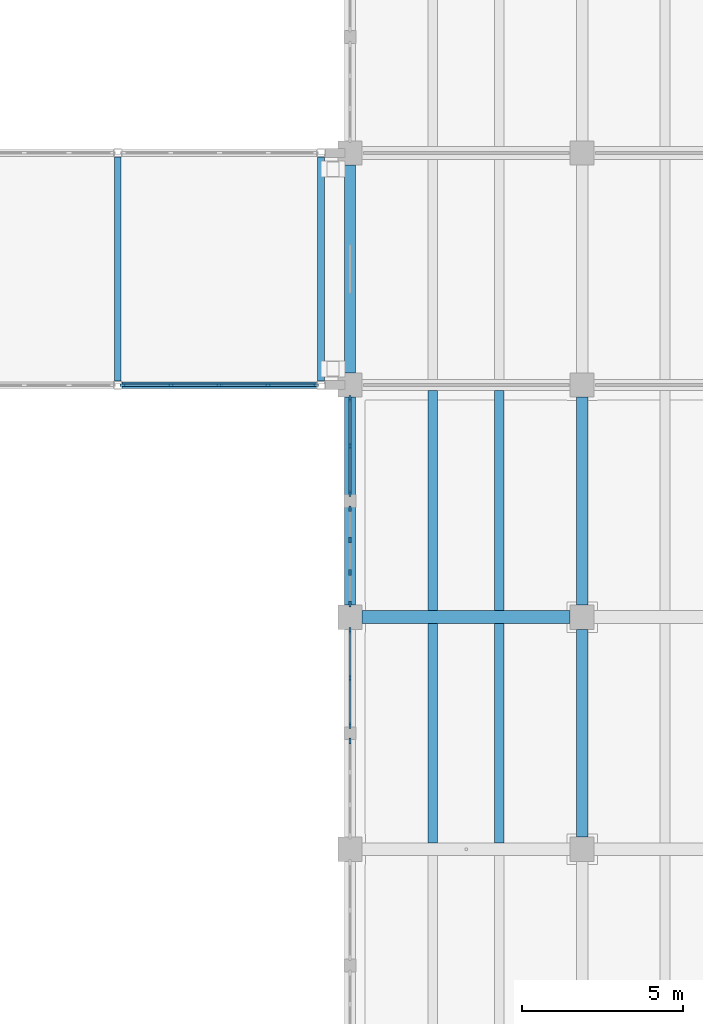
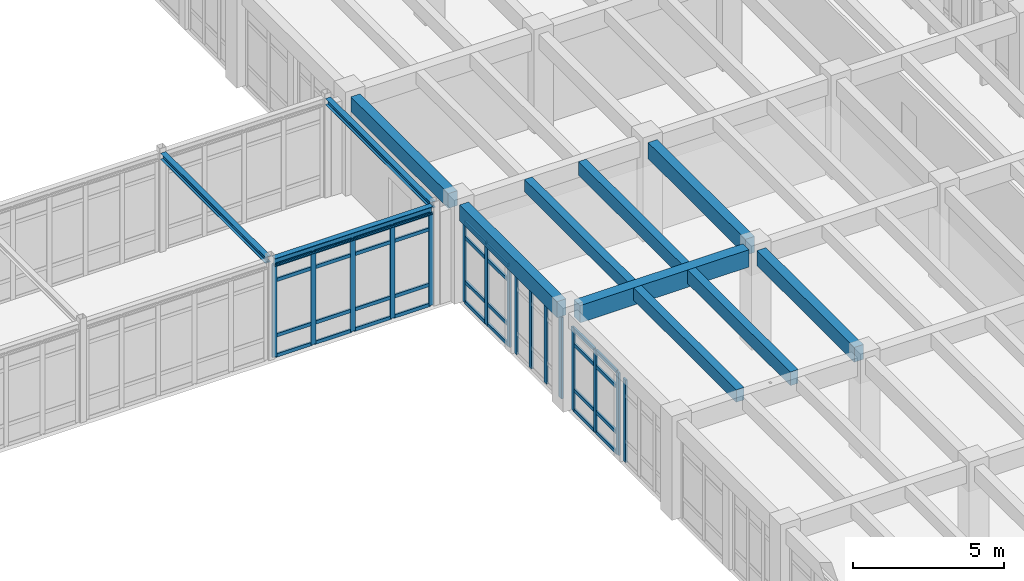
# One storey, part 59 of 136: 48 members, 12 beams, 5 elements without a shape of their own.
"""IFC4 building model written with IfcOpenShell, lengths in metres."""

import ifcopenshell
import ifcopenshell.guid

model = None  # the IFC model being written
_history = None  # IfcOwnerHistory: only IFC2X3 demands one
_inside = {}  # id of a spatial element -> (the spatial element, [elements in it])
_under = {}  # id of a project, library or spatial element -> (it, [spatial elements below it])
_declared = {}  # id of a project -> (the project, [libraries it declares])
_typed = {}  # id of a type object -> (the type object, [elements of that type])
_made_of = {}  # id of a material, layer set ... -> (it, [elements and type objects made of it])


def new_model(schema):
    """Start an empty IFC model of exactly this schema.

    Asked for "IFC4X3", IfcOpenShell would pick the latest addendum, in which some entities
    have other attributes; the version numbers below select the first issue.
    IFC2X3 requires an IfcOwnerHistory on every rooted entity: one is made here for all.
    """
    global model, _history
    if schema == "IFC4X3":
        model = ifcopenshell.file(schema_version=(4, 3, 0, 0))
    else:
        model = ifcopenshell.file(schema=schema)
    _inside.clear()
    _under.clear()
    _declared.clear()
    _typed.clear()
    _made_of.clear()
    _history = None
    if model.schema == "IFC2X3":
        org = make("IfcOrganization", Name="unknown")
        user = make(
            "IfcPersonAndOrganization",
            ThePerson=make("IfcPerson", FamilyName="unknown"),
            TheOrganization=org,
        )
        app = make(
            "IfcApplication",
            ApplicationDeveloper=org,
            Version="unknown",
            ApplicationFullName="unknown",
            ApplicationIdentifier="unknown",
        )
        _history = make(
            "IfcOwnerHistory",
            OwningUser=user,
            OwningApplication=app,
            ChangeAction="ADDED",
            CreationDate=0,
        )
    return model


def make(cls, **values):
    """One entity of the class cls with the attributes given. An attribute that is None is left unset."""
    return model.create_entity(
        cls, **{name: value for name, value in values.items() if value is not None}
    )


def rooted(cls, **values):
    """An entity with a GlobalId (a new one), such as an element, a storey or a relation."""
    return make(cls, GlobalId=ifcopenshell.guid.new(), OwnerHistory=_history, **values)


def si_unit(unit_type, name, prefix=None):
    """IfcSIUnit, for example si_unit("LENGTHUNIT", "METRE", prefix="MILLI")."""
    return make("IfcSIUnit", UnitType=unit_type, Prefix=prefix, Name=name)


def assignment(units):
    """IfcUnitAssignment: the units of a project."""
    return None if units is None else make("IfcUnitAssignment", Units=units)


def point(xyz):
    """IfcCartesianPoint."""
    return None if xyz is None else make("IfcCartesianPoint", Coordinates=xyz)


def direction(xyz):
    """IfcDirection."""
    return None if xyz is None else make("IfcDirection", DirectionRatios=xyz)


def frame(location, z_axis=None, x_axis=None):
    """IfcAxis2Placement3D, a coordinate frame: its origin and axes. An axis left out is left unset."""
    return make(
        "IfcAxis2Placement3D",
        Location=point(location),
        Axis=direction(z_axis),
        RefDirection=direction(x_axis),
    )


def frame_2d(location, x_axis=None):
    """IfcAxis2Placement2D, a coordinate frame in the plane: its origin and x axis."""
    return make(
        "IfcAxis2Placement2D", Location=point(location), RefDirection=direction(x_axis)
    )


def origin():
    """The frame at (0, 0, 0) with its axes left unset."""
    return frame((0.0, 0.0, 0.0))


def origin_2d():
    """The frame at (0, 0) in the plane with its x axis left unset."""
    return frame_2d((0.0, 0.0))


def place(relative_to, where):
    """IfcLocalPlacement: puts the frame where relative to a parent placement (None: the world)."""
    return make(
        "IfcLocalPlacement", PlacementRelTo=relative_to, RelativePlacement=where
    )


def context(
    kind, dimensions, precision=None, world=None, true_north=None, identifier=None
):
    """IfcGeometricRepresentationContext, for example the 3D "Model" context."""
    return make(
        "IfcGeometricRepresentationContext",
        ContextIdentifier=identifier,
        ContextType=kind,
        CoordinateSpaceDimension=dimensions,
        Precision=precision,
        WorldCoordinateSystem=world,
        TrueNorth=true_north,
    )


def subcontext(parent, identifier, kind, view, scale=None):
    """IfcGeometricRepresentationSubContext, for example "Body" below "Model"."""
    return make(
        "IfcGeometricRepresentationSubContext",
        ContextIdentifier=identifier,
        ContextType=kind,
        ParentContext=parent,
        TargetScale=scale,
        TargetView=view,
    )


def project(units=None, contexts=None):
    """IfcProject with its units and contexts."""
    return rooted(
        "IfcProject",
        Name="project",
        RepresentationContexts=contexts,
        UnitsInContext=assignment(units),
    )


def spatial(cls, under=None, at=None, **own):
    """A site, building, storey or space (cls), placed at a placement, below another one or the project."""
    s = rooted(cls, ObjectPlacement=at, **own)
    if under is not None:
        _under.setdefault(under.id(), (under, []))[1].append(s)
    return s


def profile(cls, at=None, kind="AREA", **sizes):
    """A parametric profile (cls). Its sizes go by their IFC names, for example OverallWidth=200.0."""
    return make(cls, ProfileType=kind, Position=at, **sizes)


def rectangle(**sizes):
    """IfcRectangleProfileDef."""
    return profile("IfcRectangleProfileDef", **sizes)


def i_section(**sizes):
    """IfcIShapeProfileDef."""
    return profile("IfcIShapeProfileDef", **sizes)


def extrude(swept, where, along, depth):
    """IfcExtrudedAreaSolid: the profile swept, set in the frame where, extruded along a direction by depth."""
    return make(
        "IfcExtrudedAreaSolid",
        SweptArea=swept,
        Position=where,
        ExtrudedDirection=direction(along),
        Depth=depth,
    )


def shape(context_of_items, identifier, shape_type, items):
    """IfcShapeRepresentation: the items that make up one representation, for example the "Body"."""
    return make(
        "IfcShapeRepresentation",
        ContextOfItems=context_of_items,
        RepresentationIdentifier=identifier,
        RepresentationType=shape_type,
        Items=items,
    )


def material(Name=None, Category=None):
    """IfcMaterial."""
    return make("IfcMaterial", Name=Name, Category=Category)


def layer(
    of_material, thickness, ventilated=None, Name=None, Category=None, Priority=None
):
    """IfcMaterialLayer: one layer of a wall or slab, of a material (None: an air gap)."""
    return make(
        "IfcMaterialLayer",
        Material=of_material,
        LayerThickness=thickness,
        IsVentilated=ventilated,
        Name=Name,
        Category=Category,
        Priority=Priority,
    )


def layer_set(layers, Name=None):
    """IfcMaterialLayerSet."""
    return make("IfcMaterialLayerSet", MaterialLayers=layers, LayerSetName=Name)


def material_profile(
    of_material, cross_section, Name=None, Category=None, Priority=None
):
    """IfcMaterialProfile: a cross section and its material."""
    return make(
        "IfcMaterialProfile",
        Name=Name,
        Material=of_material,
        Profile=cross_section,
        Priority=Priority,
        Category=Category,
    )


def profile_set(profiles, Name=None, composite=None):
    """IfcMaterialProfileSet."""
    return make(
        "IfcMaterialProfileSet",
        Name=Name,
        MaterialProfiles=profiles,
        CompositeProfile=composite,
    )


def made_of(thing, what):
    """Note that an element or type object is made of a material, layer set ...; save() writes the relation."""
    if what is not None:
        _made_of.setdefault(what.id(), (what, []))[1].append(thing)
    return thing


def type_object(cls, material=None, **own):
    """A type object (cls), such as IfcWallType, which elements share."""
    return made_of(rooted(cls, **own), material)


def element(
    cls,
    number,
    at=None,
    inside=None,
    cuts=None,
    type_object=None,
    material=None,
    context=None,
    identifier="Body",
    shape_type=None,
    held_by="IfcProductDefinitionShape",
    body=None,
    shapes=None,
    **own,
):
    """One element of the class cls, such as IfcWall. Its Tag is "e" and its number.

    at: its placement. inside: the storey or other place that contains it. cuts: it is an
    opening in that element (IfcRelVoidsElement). A single representation is given by context,
    identifier, shape_type and body (its items); several are given by shapes. held_by: the class
    of the entity that holds the representations. save() writes the other relations.
    """
    e = rooted(cls, Tag="e%d" % number, ObjectPlacement=at, **own)
    if body is not None:
        shapes = [shape(context, identifier, shape_type, body)]
    if shapes is not None:
        e.Representation = make(held_by, Representations=shapes)
    if inside is not None:
        _inside.setdefault(inside.id(), (inside, []))[1].append(e)
    if cuts is not None:
        rooted(
            "IfcRelVoidsElement", RelatingBuildingElement=cuts, RelatedOpeningElement=e
        )
    if type_object is not None:
        _typed.setdefault(type_object.id(), (type_object, []))[1].append(e)
    return made_of(e, material)


def aggregate(whole, parts):
    """IfcRelAggregates: a whole, such as a stair, and the parts it consists of."""
    return rooted("IfcRelAggregates", RelatingObject=whole, RelatedObjects=parts)


def save(model, path):
    """Write the relations noted so far, then the file.

    IfcRelAggregates (storeys below a building ...), IfcRelContainedInSpatialStructure (elements
    in a storey), IfcRelDefinesByType, IfcRelAssociatesMaterial and IfcRelDeclares: one each for
    every whole, place, type object, material and project.
    """
    for whole, parts in _under.values():
        aggregate(whole, parts)
    for where, things in _inside.values():
        rooted(
            "IfcRelContainedInSpatialStructure",
            RelatedElements=things,
            RelatingStructure=where,
        )
    for kind, things in _typed.values():
        rooted("IfcRelDefinesByType", RelatedObjects=things, RelatingType=kind)
    for what, things in _made_of.values():
        rooted("IfcRelAssociatesMaterial", RelatedObjects=things, RelatingMaterial=what)
    for by, libraries in _declared.values():
        rooted("IfcRelDeclares", RelatingContext=by, RelatedDefinitions=libraries)
    model.write(path)


model = new_model("IFC4")

# Units and contexts
model_context = context("Model", 3, precision=1e-05, world=origin(), true_north=direction((0.0, 1.0)))
body_context = subcontext(model_context, "Body", "Model", "MODEL_VIEW")
ifc_project = project(units=[si_unit("LENGTHUNIT", "METRE"), si_unit("AREAUNIT", "SQUARE_METRE"), si_unit("VOLUMEUNIT", "CUBIC_METRE"), si_unit("PLANEANGLEUNIT", "RADIAN"), si_unit("MASSUNIT", "GRAM", prefix="KILO")], contexts=[model_context])

# Site, building, storey
site_placement = place(None, origin())
site = spatial("IfcSite", under=ifc_project, at=site_placement, CompositionType="ELEMENT")
building_placement = place(site_placement, origin())
building = spatial("IfcBuilding", under=site, at=building_placement, Name="Koriwan Promenade Central Fire Station", CompositionType="ELEMENT")
storey_placement = place(building_placement, frame((0.0, 0.0, 5.39990234375)))
storey = spatial("IfcBuildingStorey", under=building, at=storey_placement, Name="L01", CompositionType="ELEMENT", Elevation=5.39990234375)

# Beams
ifc_material_1 = material(Name="Concrete C35/45", Category="concrete")
ifc_material_profile_1 = material_profile(ifc_material_1, rectangle(XDim=0.300048828125, YDim=0.5, at=origin_2d()), Name="RC-BM-300x500")
ifc_profile_set_1 = profile_set([ifc_material_profile_1], Name="Concrete C35/45")
beam_type_1 = type_object("IfcBeamType", Name="Beam_RC-BM-300x500", PredefinedType="JOIST", material=ifc_profile_set_1)
beam_1_placement = place(storey_placement, frame((153.76806640625, 29.0, 3.7001953125), z_axis=(0.0, 1.0, 0.0), x_axis=(-1.0, 0.0, 0.0)))
element("IfcBeam", 1, at=beam_1_placement, inside=storey, type_object=beam_type_1, Name="V5 L01 secondary joist 719", PredefinedType="JOIST", context=body_context, shape_type="SweptSolid", body=[
    extrude(rectangle(XDim=0.300048828125, YDim=0.5, at=origin_2d()), origin(), (0.0, 0.0, 1.0), 6.800048828125),
])
beam_2_placement = place(storey_placement, frame((153.76806640625, 36.199951171875, 3.7001953125), z_axis=(0.0, 1.0, 0.0), x_axis=(-1.0, 0.0, 0.0)))
element("IfcBeam", 2, at=beam_2_placement, inside=storey, type_object=beam_type_1, Name="V5 L01 secondary joist 725", PredefinedType="JOIST", context=body_context, shape_type="SweptSolid", body=[
    extrude(rectangle(XDim=0.300048828125, YDim=0.5, at=origin_2d()), origin(), (0.0, 0.0, 1.0), 6.824951171875),
])
ifc_material_profile_2 = material_profile(ifc_material_1, rectangle(XDim=0.300048828125, YDim=0.550048828125, at=origin_2d()), Name="RC-BM-300x550")
ifc_profile_set_2 = profile_set([ifc_material_profile_2], Name="Concrete C35/45")
beam_type_2 = type_object("IfcBeamType", Name="Beam_RC-BM-300x550", PredefinedType="JOIST", material=ifc_profile_set_2)
beam_3_placement = place(storey_placement, frame((155.83203125, 29.0, 3.675048828125), z_axis=(0.0, 1.0, 0.0), x_axis=(-1.0, 0.0, 0.0)))
element("IfcBeam", 3, at=beam_3_placement, inside=storey, type_object=beam_type_2, Name="V5 L01 secondary joist 720", PredefinedType="JOIST", context=body_context, shape_type="SweptSolid", body=[
    extrude(rectangle(XDim=0.300048828125, YDim=0.550048828125, at=origin_2d()), origin(), (0.0, 0.0, 1.0), 6.800048828125),
])
beam_4_placement = place(storey_placement, frame((155.83203125, 36.199951171875, 3.675048828125), z_axis=(0.0, 1.0, 0.0), x_axis=(-1.0, 0.0, 0.0)))
element("IfcBeam", 4, at=beam_4_placement, inside=storey, type_object=beam_type_2, Name="V5 L01 secondary joist 726", PredefinedType="JOIST", context=body_context, shape_type="SweptSolid", body=[
    extrude(rectangle(XDim=0.300048828125, YDim=0.550048828125, at=origin_2d()), origin(), (0.0, 0.0, 1.0), 6.824951171875),
])
ifc_material_profile_3 = material_profile(ifc_material_1, rectangle(XDim=0.35009765625, YDim=0.60009765625, at=origin_2d()), Name="RC-BM-350x600")
ifc_profile_set_3 = profile_set([ifc_material_profile_3], Name="Concrete C35/45")
beam_type_3 = type_object("IfcBeamType", Name="Beam_RC-BM-350x600", PredefinedType="BEAM", material=ifc_profile_set_3)
for number, where, z_axis, x_axis, name in (
    (5, (151.199951171875, 43.574951171875, 3.650146484375), (0.0, 1.0, 0.0), (-1.0, 0.0, 0.0), "V5 L01 girder Y-666"),
    (6, (158.39990234375, 29.175048828125, 3.650146484375), (0.0, 1.0, 0.0), (-1.0, 0.0, 0.0), "V5 L01 girder Y-674"),
):
    element("IfcBeam", number, at=place(storey_placement, frame(where, z_axis=z_axis, x_axis=x_axis)), inside=storey, type_object=beam_type_3, Name=name, PredefinedType="BEAM", context=body_context, shape_type="SweptSolid", body=[
        extrude(rectangle(XDim=0.35009765625, YDim=0.60009765625, at=origin_2d()), origin(), (0.0, 0.0, 1.0), 6.449951171875),
    ])
ifc_material_profile_4 = material_profile(ifc_material_1, rectangle(XDim=0.35009765625, YDim=0.64990234375, at=origin_2d()), Name="RC-BM-350x650")
ifc_profile_set_4 = profile_set([ifc_material_profile_4], Name="Concrete C35/45")
beam_type_4 = type_object("IfcBeamType", Name="Beam_RC-BM-350x650", PredefinedType="BEAM", material=ifc_profile_set_4)
for number, where, z_axis, x_axis, name in (
    (7, (151.199951171875, 36.375, 3.625), (0.0, 1.0, 0.0), (-1.0, 0.0, 0.0), "V5 L01 girder Y-665"),
    (8, (158.39990234375, 36.375, 3.625), (0.0, 1.0, 0.0), (-1.0, 0.0, 0.0), "V5 L01 girder Y-675"),
):
    element("IfcBeam", number, at=place(storey_placement, frame(where, z_axis=z_axis, x_axis=x_axis)), inside=storey, type_object=beam_type_4, Name=name, PredefinedType="BEAM", context=body_context, shape_type="SweptSolid", body=[
        extrude(rectangle(XDim=0.35009765625, YDim=0.64990234375, at=origin_2d()), origin(), (0.0, 0.0, 1.0), 6.449951171875),
    ])
ifc_material_profile_5 = material_profile(ifc_material_1, rectangle(XDim=0.39990234375, YDim=0.699951171875, at=origin_2d()), Name="RC-BM-400x700")
ifc_profile_set_5 = profile_set([ifc_material_profile_5], Name="Concrete C35/45")
beam_type_5 = type_object("IfcBeamType", Name="Beam_RC-BM-400x700", PredefinedType="BEAM", material=ifc_profile_set_5)
beam_5_placement = place(storey_placement, frame((151.574951171875, 36.0, 3.60009765625), z_axis=(1.0, 0.0, 0.0), x_axis=(0.0, 1.0, 0.0)))
element("IfcBeam", 9, at=beam_5_placement, inside=storey, type_object=beam_type_5, Name="V5 L01 girder X-640", PredefinedType="BEAM", context=body_context, shape_type="SweptSolid", body=[
    extrude(rectangle(XDim=0.39990234375, YDim=0.699951171875, at=origin_2d()), origin(), (0.0, 0.0, 1.0), 6.449951171875),
])

# Curtain wall, member
ifc_material_2 = material(Name="Aluminium EN AW-6063-T6 and low-E glazing", Category="aluminium")
ifc_layer_1 = layer(ifc_material_2, 0.159912109375, Name="Aluminium EN AW-6063-T6 and low-E glazing")
ifc_layer_set_1 = layer_set([ifc_layer_1], Name="Aluminium EN AW-6063-T6 and low-E glazing")
curtain_wall_type_1 = type_object("IfcCurtainWallType", Name="CurtainWall_67_303x334", PredefinedType="USERDEFINED", material=ifc_layer_set_1)
curtain_wall_1_placement = place(storey_placement, origin())
curtain_wall_1 = element("IfcCurtainWall", 10, at=curtain_wall_1_placement, inside=storey, type_object=curtain_wall_type_1, Name="V5 L01 unitised curtain wall 179", ObjectType="UNITISED CURTAIN WALL", PredefinedType="USERDEFINED")
ifc_material_3 = material(Name="Aluminium EN AW-6063-T6", Category="aluminium")
ifc_material_profile_6 = material_profile(ifc_material_3, rectangle(XDim=0.074951171875, YDim=0.179931640625, at=origin_2d()), Name="ALU-MUL-75x180")
ifc_profile_set_6 = profile_set([ifc_material_profile_6], Name="Aluminium EN AW-6063-T6")
member_type_1 = type_object("IfcMemberType", Name="CWMullion_ALU-MUL-75x180", PredefinedType="MULLION", material=ifc_profile_set_6)
member_1_placement = place(storey_placement, frame((151.199951171875, 32.16259765625, 0.0), z_axis=(0.0, 0.0, 1.0), x_axis=(-1.0, 0.0, 0.0)))
member_1 = element("IfcMember", 11, at=member_1_placement, type_object=member_type_1, Name="CW-67 mullion 4", PredefinedType="MULLION", context=body_context, shape_type="SweptSolid", body=[
    extrude(rectangle(XDim=0.074951171875, YDim=0.179931640625, at=origin_2d()), origin(), (0.0, 0.0, 1.0), 3.340087890625),
])
aggregate(curtain_wall_1, [member_1])

# Curtain wall, members
ifc_layer_2 = layer(ifc_material_2, 0.159912109375, Name="Aluminium EN AW-6063-T6 and low-E glazing")
ifc_layer_set_2 = layer_set([ifc_layer_2], Name="Aluminium EN AW-6063-T6 and low-E glazing")
curtain_wall_type_2 = type_object("IfcCurtainWallType", Name="CurtainWall_68_302x334", PredefinedType="USERDEFINED", material=ifc_layer_set_2)
curtain_wall_2_placement = place(storey_placement, origin())
curtain_wall_2 = element("IfcCurtainWall", 12, at=curtain_wall_2_placement, inside=storey, type_object=curtain_wall_type_2, Name="V5 L01 unitised curtain wall 180", ObjectType="UNITISED CURTAIN WALL", PredefinedType="USERDEFINED")
member_2_placement = place(storey_placement, frame((151.199951171875, 32.637451171875, 0.0), z_axis=(0.0, 0.0, 1.0), x_axis=(-1.0, 0.0, 0.0)))
member_2 = element("IfcMember", 13, at=member_2_placement, type_object=member_type_1, Name="CW-68 mullion 1", PredefinedType="MULLION", context=body_context, shape_type="SweptSolid", body=[
    extrude(rectangle(XDim=0.074951171875, YDim=0.179931640625, at=origin_2d()), origin(), (0.0, 0.0, 1.0), 3.340087890625),
])
member_3_placement = place(storey_placement, frame((151.199951171875, 34.112548828125, 0.0), z_axis=(0.0, 0.0, 1.0), x_axis=(-1.0, 0.0, 0.0)))
member_3 = element("IfcMember", 14, at=member_3_placement, type_object=member_type_1, Name="CW-68 mullion 2", PredefinedType="MULLION", context=body_context, shape_type="SweptSolid", body=[
    extrude(rectangle(XDim=0.074951171875, YDim=0.179931640625, at=origin_2d()), origin(), (0.0, 0.0, 1.0), 3.340087890625),
])
member_4_placement = place(storey_placement, frame((151.199951171875, 35.58740234375, 0.0), z_axis=(0.0, 0.0, 1.0), x_axis=(-1.0, 0.0, 0.0)))
member_4 = element("IfcMember", 15, at=member_4_placement, type_object=member_type_1, Name="CW-68 mullion 3", PredefinedType="MULLION", context=body_context, shape_type="SweptSolid", body=[
    extrude(rectangle(XDim=0.074951171875, YDim=0.179931640625, at=origin_2d()), origin(), (0.0, 0.0, 1.0), 3.340087890625),
])

ifc_layer_3 = layer(ifc_material_2, 0.159912109375, Name="Aluminium EN AW-6063-T6 and low-E glazing")
ifc_layer_set_3 = layer_set([ifc_layer_3], Name="Aluminium EN AW-6063-T6 and low-E glazing")
curtain_wall_type_3 = type_object("IfcCurtainWallType", Name="CurtainWall_62_302x329", PredefinedType="USERDEFINED", material=ifc_layer_set_3)
curtain_wall_3_placement = place(storey_placement, origin())
curtain_wall_3 = element("IfcCurtainWall", 16, at=curtain_wall_3_placement, inside=storey, type_object=curtain_wall_type_3, Name="V5 L01 unitised curtain wall 181", ObjectType="UNITISED CURTAIN WALL", PredefinedType="USERDEFINED")
member_5_placement = place(storey_placement, frame((151.199951171875, 36.41259765625, 0.0), z_axis=(0.0, 0.0, 1.0), x_axis=(-1.0, 0.0, 0.0)))
member_5 = element("IfcMember", 17, at=member_5_placement, type_object=member_type_1, Name="CW-62 mullion 1", PredefinedType="MULLION", context=body_context, shape_type="SweptSolid", body=[
    extrude(rectangle(XDim=0.074951171875, YDim=0.179931640625, at=origin_2d()), origin(), (0.0, 0.0, 1.0), 3.2900390625),
])
member_6_placement = place(storey_placement, frame((151.199951171875, 37.38330078125, 0.0), z_axis=(0.0, 0.0, 1.0), x_axis=(-1.0, 0.0, 0.0)))
member_6 = element("IfcMember", 18, at=member_6_placement, type_object=member_type_1, Name="CW-62 mullion 2", PredefinedType="MULLION", context=body_context, shape_type="SweptSolid", body=[
    extrude(rectangle(XDim=0.074951171875, YDim=0.179931640625, at=origin_2d()), origin(), (0.0, 0.0, 1.0), 3.2900390625),
])
member_7_placement = place(storey_placement, frame((151.199951171875, 38.3916015625, 0.0), z_axis=(0.0, 0.0, 1.0), x_axis=(-1.0, 0.0, 0.0)))
member_7 = element("IfcMember", 19, at=member_7_placement, type_object=member_type_1, Name="CW-62 mullion 3", PredefinedType="MULLION", context=body_context, shape_type="SweptSolid", body=[
    extrude(rectangle(XDim=0.074951171875, YDim=0.179931640625, at=origin_2d()), origin(), (0.0, 0.0, 1.0), 3.2900390625),
])
member_8_placement = place(storey_placement, frame((151.199951171875, 39.362548828125, 0.0), z_axis=(0.0, 0.0, 1.0), x_axis=(-1.0, 0.0, 0.0)))
member_8 = element("IfcMember", 20, at=member_8_placement, type_object=member_type_1, Name="CW-62 mullion 4", PredefinedType="MULLION", context=body_context, shape_type="SweptSolid", body=[
    extrude(rectangle(XDim=0.074951171875, YDim=0.179931640625, at=origin_2d()), origin(), (0.0, 0.0, 1.0), 3.2900390625),
])
aggregate(curtain_wall_3, [member_5, member_6, member_7, member_8])

ifc_layer_4 = layer(ifc_material_2, 0.159912109375, Name="Aluminium EN AW-6063-T6 and low-E glazing")
ifc_layer_set_4 = layer_set([ifc_layer_4], Name="Aluminium EN AW-6063-T6 and low-E glazing")
curtain_wall_type_4 = type_object("IfcCurtainWallType", Name="CurtainWall_08_303x329", PredefinedType="USERDEFINED", material=ifc_layer_set_4)
curtain_wall_4_placement = place(storey_placement, origin())
curtain_wall_4 = element("IfcCurtainWall", 21, at=curtain_wall_4_placement, inside=storey, type_object=curtain_wall_type_4, Name="V5 L01 unitised curtain wall 182", ObjectType="UNITISED CURTAIN WALL", PredefinedType="USERDEFINED")
member_9_placement = place(storey_placement, frame((151.199951171875, 39.83740234375, 0.0), z_axis=(0.0, 0.0, 1.0), x_axis=(-1.0, 0.0, 0.0)))
member_9 = element("IfcMember", 22, at=member_9_placement, type_object=member_type_1, Name="CW-08 mullion 1", PredefinedType="MULLION", context=body_context, shape_type="SweptSolid", body=[
    extrude(rectangle(XDim=0.074951171875, YDim=0.179931640625, at=origin_2d()), origin(), (0.0, 0.0, 1.0), 3.2900390625),
])
member_10_placement = place(storey_placement, frame((151.199951171875, 41.3125, 0.0), z_axis=(0.0, 0.0, 1.0), x_axis=(-1.0, 0.0, 0.0)))
member_10 = element("IfcMember", 23, at=member_10_placement, type_object=member_type_1, Name="CW-08 mullion 2", PredefinedType="MULLION", context=body_context, shape_type="SweptSolid", body=[
    extrude(rectangle(XDim=0.074951171875, YDim=0.179931640625, at=origin_2d()), origin(), (0.0, 0.0, 1.0), 3.2900390625),
])
member_11_placement = place(storey_placement, frame((151.199951171875, 42.78759765625, 0.0), z_axis=(0.0, 0.0, 1.0), x_axis=(-1.0, 0.0, 0.0)))
member_11 = element("IfcMember", 24, at=member_11_placement, type_object=member_type_1, Name="CW-08 mullion 3", PredefinedType="MULLION", context=body_context, shape_type="SweptSolid", body=[
    extrude(rectangle(XDim=0.074951171875, YDim=0.179931640625, at=origin_2d()), origin(), (0.0, 0.0, 1.0), 3.2900390625),
])

ifc_layer_5 = layer(ifc_material_2, 0.159912109375, Name="Aluminium EN AW-6063-T6 and low-E glazing")
ifc_layer_set_5 = layer_set([ifc_layer_5], Name="Aluminium EN AW-6063-T6 and low-E glazing")
curtain_wall_type_5 = type_object("IfcCurtainWallType", Name="CurtainWall_97_605x374", PredefinedType="USERDEFINED", material=ifc_layer_set_5)
curtain_wall_5_placement = place(storey_placement, origin())
curtain_wall_5 = element("IfcCurtainWall", 25, at=curtain_wall_5_placement, inside=storey, type_object=curtain_wall_type_5, Name="V5 L01 unitised curtain wall 316", ObjectType="UNITISED CURTAIN WALL", PredefinedType="USERDEFINED")
member_12_placement = place(storey_placement, frame((144.16259765625, 43.199951171875, 0.0), z_axis=(0.0, 0.0, 1.0), x_axis=(0.0, 1.0, 0.0)))
member_12 = element("IfcMember", 26, at=member_12_placement, type_object=member_type_1, Name="CW-97 mullion 1", PredefinedType="MULLION", context=body_context, shape_type="SweptSolid", body=[
    extrude(rectangle(XDim=0.074951171875, YDim=0.179931640625, at=origin_2d()), origin(), (0.0, 0.0, 1.0), 3.739990234375),
])
member_13_placement = place(storey_placement, frame((145.637451171875, 43.199951171875, 0.0), z_axis=(0.0, 0.0, 1.0), x_axis=(0.0, 1.0, 0.0)))
member_13 = element("IfcMember", 27, at=member_13_placement, type_object=member_type_1, Name="CW-97 mullion 2", PredefinedType="MULLION", context=body_context, shape_type="SweptSolid", body=[
    extrude(rectangle(XDim=0.074951171875, YDim=0.179931640625, at=origin_2d()), origin(), (0.0, 0.0, 1.0), 3.739990234375),
])
member_14_placement = place(storey_placement, frame((147.14990234375, 43.199951171875, 0.0), z_axis=(0.0, 0.0, 1.0), x_axis=(0.0, 1.0, 0.0)))
member_14 = element("IfcMember", 28, at=member_14_placement, type_object=member_type_1, Name="CW-97 mullion 3", PredefinedType="MULLION", context=body_context, shape_type="SweptSolid", body=[
    extrude(rectangle(XDim=0.074951171875, YDim=0.179931640625, at=origin_2d()), origin(), (0.0, 0.0, 1.0), 3.739990234375),
])
member_15_placement = place(storey_placement, frame((148.66259765625, 43.199951171875, 0.0), z_axis=(0.0, 0.0, 1.0), x_axis=(0.0, 1.0, 0.0)))
member_15 = element("IfcMember", 29, at=member_15_placement, type_object=member_type_1, Name="CW-97 mullion 4", PredefinedType="MULLION", context=body_context, shape_type="SweptSolid", body=[
    extrude(rectangle(XDim=0.074951171875, YDim=0.179931640625, at=origin_2d()), origin(), (0.0, 0.0, 1.0), 3.739990234375),
])
member_16_placement = place(storey_placement, frame((150.137451171875, 43.199951171875, 0.0), z_axis=(0.0, 0.0, 1.0), x_axis=(0.0, 1.0, 0.0)))
member_16 = element("IfcMember", 30, at=member_16_placement, type_object=member_type_1, Name="CW-97 mullion 5", PredefinedType="MULLION", context=body_context, shape_type="SweptSolid", body=[
    extrude(rectangle(XDim=0.074951171875, YDim=0.179931640625, at=origin_2d()), origin(), (0.0, 0.0, 1.0), 3.739990234375),
])

# Member
ifc_material_profile_7 = material_profile(ifc_material_3, rectangle(XDim=0.074951171875, YDim=0.139892578125, at=origin_2d()), Name="ALU-TRN-75x140")
ifc_profile_set_7 = profile_set([ifc_material_profile_7], Name="Aluminium EN AW-6063-T6")
member_type_2 = type_object("IfcMemberType", Name="CWTransom_ALU-TRN-75x140", PredefinedType="USERDEFINED", material=ifc_profile_set_7)
member_17_placement = place(storey_placement, frame((151.199951171875, 32.675048828125, 0.03759765625), z_axis=(0.0, 1.0, 0.0), x_axis=(-1.0, 0.0, 0.0)))
member_17 = element("IfcMember", 31, at=member_17_placement, type_object=member_type_2, Name="CW-68 transom 1.1", ObjectType="TRANSOM", PredefinedType="USERDEFINED", context=body_context, shape_type="SweptSolid", body=[
    extrude(rectangle(XDim=0.074951171875, YDim=0.139892578125, at=origin_2d()), origin(), (0.0, 0.0, 1.0), 1.39990234375),
])

member_18_placement = place(storey_placement, frame((151.199951171875, 32.675048828125, 0.85009765625), z_axis=(0.0, 1.0, 0.0), x_axis=(-1.0, 0.0, 0.0)))
member_18 = element("IfcMember", 32, at=member_18_placement, type_object=member_type_2, Name="CW-68 transom 1.2", ObjectType="TRANSOM", PredefinedType="USERDEFINED", context=body_context, shape_type="SweptSolid", body=[
    extrude(rectangle(XDim=0.074951171875, YDim=0.139892578125, at=origin_2d()), origin(), (0.0, 0.0, 1.0), 1.39990234375),
])

member_19_placement = place(storey_placement, frame((151.199951171875, 32.675048828125, 2.690185546875), z_axis=(0.0, 1.0, 0.0), x_axis=(-1.0, 0.0, 0.0)))
member_19 = element("IfcMember", 33, at=member_19_placement, type_object=member_type_2, Name="CW-68 transom 1.3", ObjectType="TRANSOM", PredefinedType="USERDEFINED", context=body_context, shape_type="SweptSolid", body=[
    extrude(rectangle(XDim=0.074951171875, YDim=0.139892578125, at=origin_2d()), origin(), (0.0, 0.0, 1.0), 1.39990234375),
])

member_20_placement = place(storey_placement, frame((151.199951171875, 32.675048828125, 3.302490234375), z_axis=(0.0, 1.0, 0.0), x_axis=(-1.0, 0.0, 0.0)))
member_20 = element("IfcMember", 34, at=member_20_placement, type_object=member_type_2, Name="CW-68 transom 1.4", ObjectType="TRANSOM", PredefinedType="USERDEFINED", context=body_context, shape_type="SweptSolid", body=[
    extrude(rectangle(XDim=0.074951171875, YDim=0.139892578125, at=origin_2d()), origin(), (0.0, 0.0, 1.0), 1.39990234375),
])

member_21_placement = place(storey_placement, frame((151.199951171875, 34.14990234375, 0.03759765625), z_axis=(0.0, 1.0, 0.0), x_axis=(-1.0, 0.0, 0.0)))
member_21 = element("IfcMember", 35, at=member_21_placement, type_object=member_type_2, Name="CW-68 transom 2.1", ObjectType="TRANSOM", PredefinedType="USERDEFINED", context=body_context, shape_type="SweptSolid", body=[
    extrude(rectangle(XDim=0.074951171875, YDim=0.139892578125, at=origin_2d()), origin(), (0.0, 0.0, 1.0), 1.400146484375),
])

member_22_placement = place(storey_placement, frame((151.199951171875, 34.14990234375, 0.85009765625), z_axis=(0.0, 1.0, 0.0), x_axis=(-1.0, 0.0, 0.0)))
member_22 = element("IfcMember", 36, at=member_22_placement, type_object=member_type_2, Name="CW-68 transom 2.2", ObjectType="TRANSOM", PredefinedType="USERDEFINED", context=body_context, shape_type="SweptSolid", body=[
    extrude(rectangle(XDim=0.074951171875, YDim=0.139892578125, at=origin_2d()), origin(), (0.0, 0.0, 1.0), 1.400146484375),
])

member_23_placement = place(storey_placement, frame((151.199951171875, 34.14990234375, 2.690185546875), z_axis=(0.0, 1.0, 0.0), x_axis=(-1.0, 0.0, 0.0)))
member_23 = element("IfcMember", 37, at=member_23_placement, type_object=member_type_2, Name="CW-68 transom 2.3", ObjectType="TRANSOM", PredefinedType="USERDEFINED", context=body_context, shape_type="SweptSolid", body=[
    extrude(rectangle(XDim=0.074951171875, YDim=0.139892578125, at=origin_2d()), origin(), (0.0, 0.0, 1.0), 1.400146484375),
])

member_24_placement = place(storey_placement, frame((151.199951171875, 34.14990234375, 3.302490234375), z_axis=(0.0, 1.0, 0.0), x_axis=(-1.0, 0.0, 0.0)))
member_24 = element("IfcMember", 38, at=member_24_placement, type_object=member_type_2, Name="CW-68 transom 2.4", ObjectType="TRANSOM", PredefinedType="USERDEFINED", context=body_context, shape_type="SweptSolid", body=[
    extrude(rectangle(XDim=0.074951171875, YDim=0.139892578125, at=origin_2d()), origin(), (0.0, 0.0, 1.0), 1.400146484375),
])

aggregate(curtain_wall_2, [member_2, member_3, member_4, member_17, member_18, member_19, member_20, member_21, member_22, member_23, member_24])

member_25_placement = place(storey_placement, frame((151.199951171875, 39.875, 0.03759765625), z_axis=(0.0, 1.0, 0.0), x_axis=(-1.0, 0.0, 0.0)))
member_25 = element("IfcMember", 39, at=member_25_placement, type_object=member_type_2, Name="CW-08 transom 1.1", ObjectType="TRANSOM", PredefinedType="USERDEFINED", context=body_context, shape_type="SweptSolid", body=[
    extrude(rectangle(XDim=0.074951171875, YDim=0.139892578125, at=origin_2d()), origin(), (0.0, 0.0, 1.0), 1.39990234375),
])

member_26_placement = place(storey_placement, frame((151.199951171875, 39.875, 0.85009765625), z_axis=(0.0, 1.0, 0.0), x_axis=(-1.0, 0.0, 0.0)))
member_26 = element("IfcMember", 40, at=member_26_placement, type_object=member_type_2, Name="CW-08 transom 1.2", ObjectType="TRANSOM", PredefinedType="USERDEFINED", context=body_context, shape_type="SweptSolid", body=[
    extrude(rectangle(XDim=0.074951171875, YDim=0.139892578125, at=origin_2d()), origin(), (0.0, 0.0, 1.0), 1.39990234375),
])

member_27_placement = place(storey_placement, frame((151.199951171875, 39.875, 2.64013671875), z_axis=(0.0, 1.0, 0.0), x_axis=(-1.0, 0.0, 0.0)))
member_27 = element("IfcMember", 41, at=member_27_placement, type_object=member_type_2, Name="CW-08 transom 1.3", ObjectType="TRANSOM", PredefinedType="USERDEFINED", context=body_context, shape_type="SweptSolid", body=[
    extrude(rectangle(XDim=0.074951171875, YDim=0.139892578125, at=origin_2d()), origin(), (0.0, 0.0, 1.0), 1.39990234375),
])

member_28_placement = place(storey_placement, frame((151.199951171875, 39.875, 3.252685546875), z_axis=(0.0, 1.0, 0.0), x_axis=(-1.0, 0.0, 0.0)))
member_28 = element("IfcMember", 42, at=member_28_placement, type_object=member_type_2, Name="CW-08 transom 1.4", ObjectType="TRANSOM", PredefinedType="USERDEFINED", context=body_context, shape_type="SweptSolid", body=[
    extrude(rectangle(XDim=0.074951171875, YDim=0.139892578125, at=origin_2d()), origin(), (0.0, 0.0, 1.0), 1.39990234375),
])

member_29_placement = place(storey_placement, frame((151.199951171875, 41.35009765625, 0.03759765625), z_axis=(0.0, 1.0, 0.0), x_axis=(-1.0, 0.0, 0.0)))
member_29 = element("IfcMember", 43, at=member_29_placement, type_object=member_type_2, Name="CW-08 transom 2.1", ObjectType="TRANSOM", PredefinedType="USERDEFINED", context=body_context, shape_type="SweptSolid", body=[
    extrude(rectangle(XDim=0.074951171875, YDim=0.139892578125, at=origin_2d()), origin(), (0.0, 0.0, 1.0), 1.39990234375),
])

member_30_placement = place(storey_placement, frame((151.199951171875, 41.35009765625, 0.85009765625), z_axis=(0.0, 1.0, 0.0), x_axis=(-1.0, 0.0, 0.0)))
member_30 = element("IfcMember", 44, at=member_30_placement, type_object=member_type_2, Name="CW-08 transom 2.2", ObjectType="TRANSOM", PredefinedType="USERDEFINED", context=body_context, shape_type="SweptSolid", body=[
    extrude(rectangle(XDim=0.074951171875, YDim=0.139892578125, at=origin_2d()), origin(), (0.0, 0.0, 1.0), 1.39990234375),
])

member_31_placement = place(storey_placement, frame((151.199951171875, 41.35009765625, 2.64013671875), z_axis=(0.0, 1.0, 0.0), x_axis=(-1.0, 0.0, 0.0)))
member_31 = element("IfcMember", 45, at=member_31_placement, type_object=member_type_2, Name="CW-08 transom 2.3", ObjectType="TRANSOM", PredefinedType="USERDEFINED", context=body_context, shape_type="SweptSolid", body=[
    extrude(rectangle(XDim=0.074951171875, YDim=0.139892578125, at=origin_2d()), origin(), (0.0, 0.0, 1.0), 1.39990234375),
])

member_32_placement = place(storey_placement, frame((151.199951171875, 41.35009765625, 3.252685546875), z_axis=(0.0, 1.0, 0.0), x_axis=(-1.0, 0.0, 0.0)))
member_32 = element("IfcMember", 46, at=member_32_placement, type_object=member_type_2, Name="CW-08 transom 2.4", ObjectType="TRANSOM", PredefinedType="USERDEFINED", context=body_context, shape_type="SweptSolid", body=[
    extrude(rectangle(XDim=0.074951171875, YDim=0.139892578125, at=origin_2d()), origin(), (0.0, 0.0, 1.0), 1.39990234375),
])

aggregate(curtain_wall_4, [member_9, member_10, member_11, member_25, member_26, member_27, member_28, member_29, member_30, member_31, member_32])

member_33_placement = place(storey_placement, frame((144.199951171875, 43.199951171875, 0.03759765625), z_axis=(1.0, 0.0, 0.0), x_axis=(0.0, 1.0, 0.0)))
member_33 = element("IfcMember", 47, at=member_33_placement, type_object=member_type_2, Name="CW-97 transom 1.1", ObjectType="TRANSOM", PredefinedType="USERDEFINED", context=body_context, shape_type="SweptSolid", body=[
    extrude(rectangle(XDim=0.074951171875, YDim=0.139892578125, at=origin_2d()), origin(), (0.0, 0.0, 1.0), 1.400146484375),
])

member_34_placement = place(storey_placement, frame((144.199951171875, 43.199951171875, 0.85009765625), z_axis=(1.0, 0.0, 0.0), x_axis=(0.0, 1.0, 0.0)))
member_34 = element("IfcMember", 48, at=member_34_placement, type_object=member_type_2, Name="CW-97 transom 1.2", ObjectType="TRANSOM", PredefinedType="USERDEFINED", context=body_context, shape_type="SweptSolid", body=[
    extrude(rectangle(XDim=0.074951171875, YDim=0.139892578125, at=origin_2d()), origin(), (0.0, 0.0, 1.0), 1.400146484375),
])

member_35_placement = place(storey_placement, frame((144.199951171875, 43.199951171875, 3.090087890625), z_axis=(1.0, 0.0, 0.0), x_axis=(0.0, 1.0, 0.0)))
member_35 = element("IfcMember", 49, at=member_35_placement, type_object=member_type_2, Name="CW-97 transom 1.3", ObjectType="TRANSOM", PredefinedType="USERDEFINED", context=body_context, shape_type="SweptSolid", body=[
    extrude(rectangle(XDim=0.074951171875, YDim=0.139892578125, at=origin_2d()), origin(), (0.0, 0.0, 1.0), 1.400146484375),
])

member_36_placement = place(storey_placement, frame((144.199951171875, 43.199951171875, 3.70263671875), z_axis=(1.0, 0.0, 0.0), x_axis=(0.0, 1.0, 0.0)))
member_36 = element("IfcMember", 50, at=member_36_placement, type_object=member_type_2, Name="CW-97 transom 1.4", ObjectType="TRANSOM", PredefinedType="USERDEFINED", context=body_context, shape_type="SweptSolid", body=[
    extrude(rectangle(XDim=0.074951171875, YDim=0.139892578125, at=origin_2d()), origin(), (0.0, 0.0, 1.0), 1.400146484375),
])

member_37_placement = place(storey_placement, frame((145.675048828125, 43.199951171875, 0.03759765625), z_axis=(1.0, 0.0, 0.0), x_axis=(0.0, 1.0, 0.0)))
member_37 = element("IfcMember", 51, at=member_37_placement, type_object=member_type_2, Name="CW-97 transom 2.1", ObjectType="TRANSOM", PredefinedType="USERDEFINED", context=body_context, shape_type="SweptSolid", body=[
    extrude(rectangle(XDim=0.074951171875, YDim=0.139892578125, at=origin_2d()), origin(), (0.0, 0.0, 1.0), 1.4375),
])

member_38_placement = place(storey_placement, frame((145.675048828125, 43.199951171875, 0.85009765625), z_axis=(1.0, 0.0, 0.0), x_axis=(0.0, 1.0, 0.0)))
member_38 = element("IfcMember", 52, at=member_38_placement, type_object=member_type_2, Name="CW-97 transom 2.2", ObjectType="TRANSOM", PredefinedType="USERDEFINED", context=body_context, shape_type="SweptSolid", body=[
    extrude(rectangle(XDim=0.074951171875, YDim=0.139892578125, at=origin_2d()), origin(), (0.0, 0.0, 1.0), 1.4375),
])

member_39_placement = place(storey_placement, frame((145.675048828125, 43.199951171875, 3.090087890625), z_axis=(1.0, 0.0, 0.0), x_axis=(0.0, 1.0, 0.0)))
member_39 = element("IfcMember", 53, at=member_39_placement, type_object=member_type_2, Name="CW-97 transom 2.3", ObjectType="TRANSOM", PredefinedType="USERDEFINED", context=body_context, shape_type="SweptSolid", body=[
    extrude(rectangle(XDim=0.074951171875, YDim=0.139892578125, at=origin_2d()), origin(), (0.0, 0.0, 1.0), 1.4375),
])

member_40_placement = place(storey_placement, frame((145.675048828125, 43.199951171875, 3.70263671875), z_axis=(1.0, 0.0, 0.0), x_axis=(0.0, 1.0, 0.0)))
member_40 = element("IfcMember", 54, at=member_40_placement, type_object=member_type_2, Name="CW-97 transom 2.4", ObjectType="TRANSOM", PredefinedType="USERDEFINED", context=body_context, shape_type="SweptSolid", body=[
    extrude(rectangle(XDim=0.074951171875, YDim=0.139892578125, at=origin_2d()), origin(), (0.0, 0.0, 1.0), 1.4375),
])

member_41_placement = place(storey_placement, frame((147.1875, 43.199951171875, 0.03759765625), z_axis=(1.0, 0.0, 0.0), x_axis=(0.0, 1.0, 0.0)))
member_41 = element("IfcMember", 55, at=member_41_placement, type_object=member_type_2, Name="CW-97 transom 3.1", ObjectType="TRANSOM", PredefinedType="USERDEFINED", context=body_context, shape_type="SweptSolid", body=[
    extrude(rectangle(XDim=0.074951171875, YDim=0.139892578125, at=origin_2d()), origin(), (0.0, 0.0, 1.0), 1.4375),
])

member_42_placement = place(storey_placement, frame((147.1875, 43.199951171875, 0.85009765625), z_axis=(1.0, 0.0, 0.0), x_axis=(0.0, 1.0, 0.0)))
member_42 = element("IfcMember", 56, at=member_42_placement, type_object=member_type_2, Name="CW-97 transom 3.2", ObjectType="TRANSOM", PredefinedType="USERDEFINED", context=body_context, shape_type="SweptSolid", body=[
    extrude(rectangle(XDim=0.074951171875, YDim=0.139892578125, at=origin_2d()), origin(), (0.0, 0.0, 1.0), 1.4375),
])

member_43_placement = place(storey_placement, frame((147.1875, 43.199951171875, 3.090087890625), z_axis=(1.0, 0.0, 0.0), x_axis=(0.0, 1.0, 0.0)))
member_43 = element("IfcMember", 57, at=member_43_placement, type_object=member_type_2, Name="CW-97 transom 3.3", ObjectType="TRANSOM", PredefinedType="USERDEFINED", context=body_context, shape_type="SweptSolid", body=[
    extrude(rectangle(XDim=0.074951171875, YDim=0.139892578125, at=origin_2d()), origin(), (0.0, 0.0, 1.0), 1.4375),
])

member_44_placement = place(storey_placement, frame((147.1875, 43.199951171875, 3.70263671875), z_axis=(1.0, 0.0, 0.0), x_axis=(0.0, 1.0, 0.0)))
member_44 = element("IfcMember", 58, at=member_44_placement, type_object=member_type_2, Name="CW-97 transom 3.4", ObjectType="TRANSOM", PredefinedType="USERDEFINED", context=body_context, shape_type="SweptSolid", body=[
    extrude(rectangle(XDim=0.074951171875, YDim=0.139892578125, at=origin_2d()), origin(), (0.0, 0.0, 1.0), 1.4375),
])

member_45_placement = place(storey_placement, frame((148.699951171875, 43.199951171875, 0.03759765625), z_axis=(1.0, 0.0, 0.0), x_axis=(0.0, 1.0, 0.0)))
member_45 = element("IfcMember", 59, at=member_45_placement, type_object=member_type_2, Name="CW-97 transom 4.1", ObjectType="TRANSOM", PredefinedType="USERDEFINED", context=body_context, shape_type="SweptSolid", body=[
    extrude(rectangle(XDim=0.074951171875, YDim=0.139892578125, at=origin_2d()), origin(), (0.0, 0.0, 1.0), 1.400146484375),
])

member_46_placement = place(storey_placement, frame((148.699951171875, 43.199951171875, 0.85009765625), z_axis=(1.0, 0.0, 0.0), x_axis=(0.0, 1.0, 0.0)))
member_46 = element("IfcMember", 60, at=member_46_placement, type_object=member_type_2, Name="CW-97 transom 4.2", ObjectType="TRANSOM", PredefinedType="USERDEFINED", context=body_context, shape_type="SweptSolid", body=[
    extrude(rectangle(XDim=0.074951171875, YDim=0.139892578125, at=origin_2d()), origin(), (0.0, 0.0, 1.0), 1.400146484375),
])

member_47_placement = place(storey_placement, frame((148.699951171875, 43.199951171875, 3.090087890625), z_axis=(1.0, 0.0, 0.0), x_axis=(0.0, 1.0, 0.0)))
member_47 = element("IfcMember", 61, at=member_47_placement, type_object=member_type_2, Name="CW-97 transom 4.3", ObjectType="TRANSOM", PredefinedType="USERDEFINED", context=body_context, shape_type="SweptSolid", body=[
    extrude(rectangle(XDim=0.074951171875, YDim=0.139892578125, at=origin_2d()), origin(), (0.0, 0.0, 1.0), 1.400146484375),
])

member_48_placement = place(storey_placement, frame((148.699951171875, 43.199951171875, 3.70263671875), z_axis=(1.0, 0.0, 0.0), x_axis=(0.0, 1.0, 0.0)))
member_48 = element("IfcMember", 62, at=member_48_placement, type_object=member_type_2, Name="CW-97 transom 4.4", ObjectType="TRANSOM", PredefinedType="USERDEFINED", context=body_context, shape_type="SweptSolid", body=[
    extrude(rectangle(XDim=0.074951171875, YDim=0.139892578125, at=origin_2d()), origin(), (0.0, 0.0, 1.0), 1.400146484375),
])

aggregate(curtain_wall_5, [member_12, member_13, member_14, member_15, member_16, member_33, member_34, member_35, member_36, member_37, member_38, member_39, member_40, member_41, member_42, member_43, member_44, member_45, member_46, member_47, member_48])

# Beams
ifc_material_4 = material(Name="Steel ASTM A992 Grade 50", Category="steel")
ifc_material_profile_8 = material_profile(ifc_material_4, i_section(OverallWidth=0.202880859375, OverallDepth=0.251953125, WebThickness=0.008056640625, FlangeThickness=0.013427734375, FilletRadius=0.012939453125, at=origin_2d()), Name="W250x58")
ifc_profile_set_8 = profile_set([ifc_material_profile_8], Name="Steel ASTM A992 Grade 50")
beam_type_6 = type_object("IfcBeamType", Name="SteelBeam_W250x58", PredefinedType="JOIST", material=ifc_profile_set_8)
for number, where, z_axis, x_axis, name in (
    (63, (144.0, 43.330078125, 3.89404296875), (0.0, 1.0, 0.0), (-1.0, 0.0, 0.0), "Bridge roof cross beam 1144"),
    (64, (150.300048828125, 43.330078125, 3.89404296875), (0.0, 1.0, 0.0), (-1.0, 0.0, 0.0), "Bridge roof cross beam 1146"),
):
    element("IfcBeam", number, at=place(storey_placement, frame(where, z_axis=z_axis, x_axis=x_axis)), inside=storey, type_object=beam_type_6, Name=name, PredefinedType="JOIST", context=body_context, shape_type="SweptSolid", body=[
        extrude(i_section(OverallWidth=0.202880859375, OverallDepth=0.251953125, WebThickness=0.008056640625, FlangeThickness=0.013427734375, FilletRadius=0.012939453125, at=origin_2d()), origin(), (0.0, 0.0, 1.0), 6.93994140625),
    ])
ifc_material_profile_9 = material_profile(ifc_material_4, i_section(OverallWidth=0.205078125, OverallDepth=0.31005859375, WebThickness=0.009521484375, FlangeThickness=0.016357421875, FilletRadius=0.014892578125, at=origin_2d()), Name="W310x74")
ifc_profile_set_9 = profile_set([ifc_material_profile_9], Name="Steel ASTM A992 Grade 50")
beam_type_7 = type_object("IfcBeamType", Name="SteelBeam_W310x74", PredefinedType="BEAM", material=ifc_profile_set_9)
beam_6_placement = place(storey_placement, frame((144.1298828125, 43.199951171875, 3.864990234375), z_axis=(1.0, 0.0, 0.0), x_axis=(0.0, 1.0, 0.0)))
element("IfcBeam", 65, at=beam_6_placement, inside=storey, type_object=beam_type_7, Name="Bridge roof girder 1124", PredefinedType="BEAM", context=body_context, shape_type="SweptSolid", body=[
    extrude(i_section(OverallWidth=0.205078125, OverallDepth=0.31005859375, WebThickness=0.009521484375, FlangeThickness=0.016357421875, FilletRadius=0.014892578125, at=origin_2d()), origin(), (0.0, 0.0, 1.0), 6.0400390625),
])

save(model, "model.ifc")
